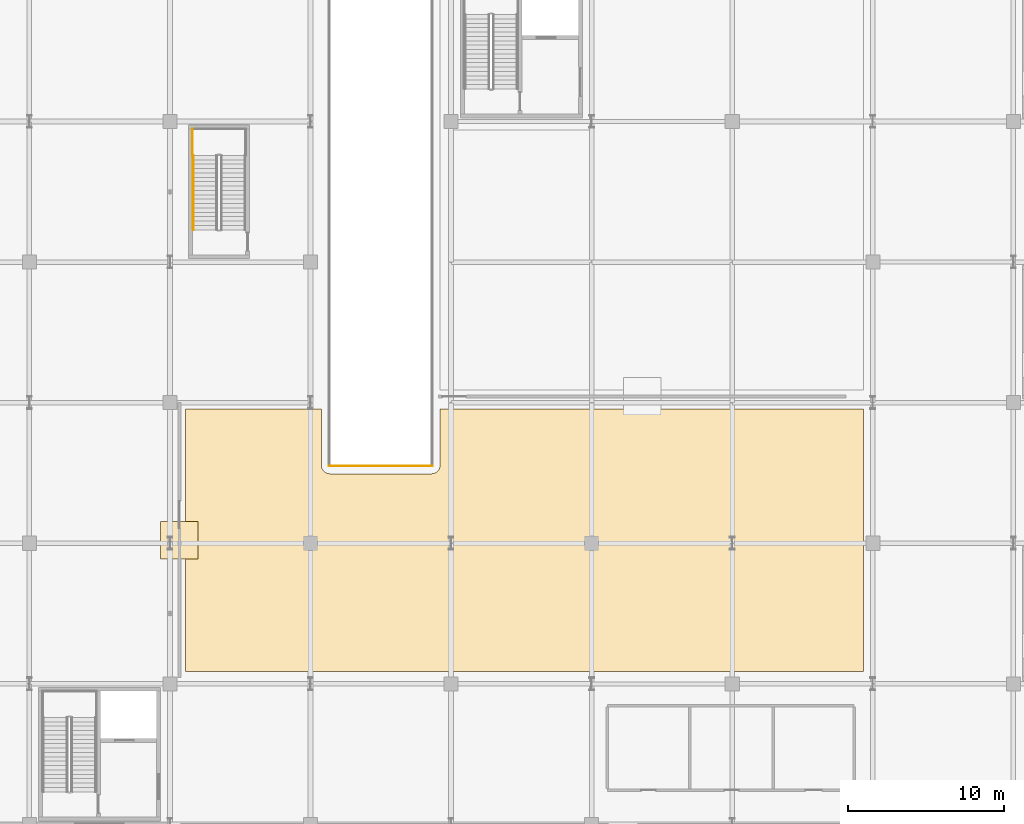
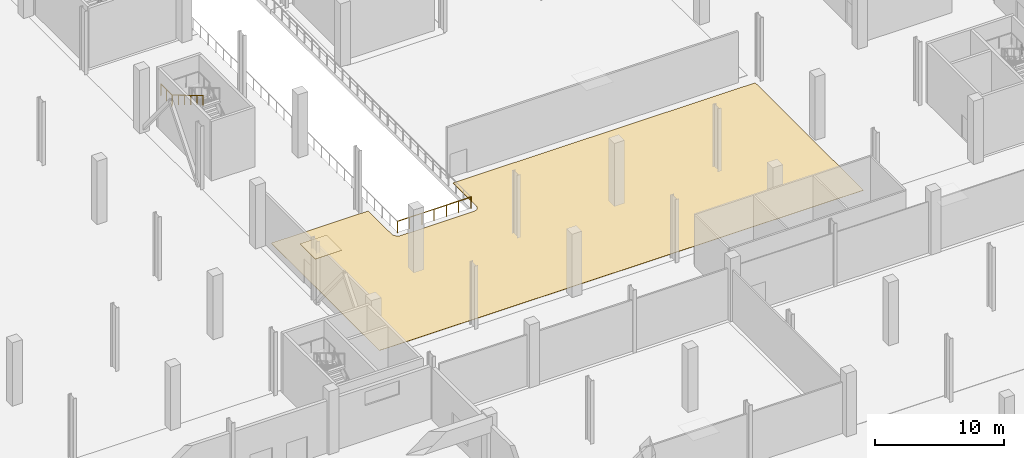
# One storey, part 51 of 58: 3 railings, 2 coverings.
"""IFC4 building model written with IfcOpenShell, lengths in metres."""

from ifc_helpers import new_model, si_unit, direction, frame, origin, origin_2d, place, context, subcontext, project, spatial, polyline, circle, outline, extrude, material, layer, layer_set, type_object, element, save


model = new_model("IFC4")

# Units and contexts
model_context = context("Model", 3, precision=1e-05, world=origin(), true_north=direction((0.0, 1.0)))
body_context = subcontext(model_context, "Body", "Model", "MODEL_VIEW")
ifc_project = project(units=[si_unit("LENGTHUNIT", "METRE"), si_unit("AREAUNIT", "SQUARE_METRE"), si_unit("VOLUMEUNIT", "CUBIC_METRE"), si_unit("PLANEANGLEUNIT", "RADIAN"), si_unit("MASSUNIT", "GRAM", prefix="KILO")], contexts=[model_context])

# Site, building, storey
site_placement = place(None, origin())
site = spatial("IfcSite", under=ifc_project, at=site_placement, CompositionType="ELEMENT")
building_placement = place(site_placement, origin())
building = spatial("IfcBuilding", under=site, at=building_placement, Name="Barlavento Convention Centre", CompositionType="ELEMENT")
storey_placement = place(building_placement, origin())
storey = spatial("IfcBuildingStorey", under=building, at=storey_placement, Name="L00", CompositionType="ELEMENT", Elevation=0.0)

# Coverings
ifc_material_1 = material(Name="Perforated mineral-fibre acoustic board")
ifc_layer_1 = layer(ifc_material_1, 0.0400390625)
ifc_layer_set_1 = layer_set([ifc_layer_1], Name="ARC-COV-CEIL-ACOU")
covering_type_1 = type_object("IfcCoveringType", Name="ARC-COV-CEIL-ACOU", PredefinedType="CEILING", material=ifc_layer_set_1)
covering_1_placement = place(storey_placement, frame((0.0, 0.0, 4.85009765625)))
element("IfcCovering", 1, at=covering_1_placement, inside=storey, type_object=covering_type_1, Name="L00 acoustic ceiling panel", PredefinedType="CEILING", context=body_context, shape_type="SweptSolid", body=[
    extrude(outline(polyline([(125.39990234375, 62.0), (127.800048828125, 62.0), (127.800048828125, 64.39990234375), (125.39990234375, 64.39990234375), (125.39990234375, 62.0)])), origin(), (0.0, 0.0, 1.0), 0.039794921875),
])
ifc_material_2 = material(Name="Honed granite concourse stone flooring", Category="masonry")
ifc_layer_2 = layer(ifc_material_2, 0.030029296875)
ifc_layer_set_2 = layer_set([ifc_layer_2], Name="ARC-COV-FLR-STONE")
covering_type_2 = type_object("IfcCoveringType", Name="ARC-COV-FLR-STONE", PredefinedType="FLOORING", material=ifc_layer_set_2)
covering_2_placement = place(storey_placement, origin())
element("IfcCovering", 2, at=covering_2_placement, inside=storey, type_object=covering_type_2, Name="L00 honed stone floor finish", PredefinedType="FLOORING", context=body_context, shape_type="SweptSolid", body=[
    extrude(outline(polyline([(127.0, 54.800048828125), (127.0, 71.60009765625), (135.699951171875, 71.60009765625), (135.699951171875, 68.0), (135.699951171875, 67.98095703125), (135.700927734375, 67.966064453125), (135.705078125, 67.926025390625), (135.70703125, 67.910888671875), (135.715087890625, 67.8720703125), (135.718994140625, 67.85791015625), (135.72900390625, 67.823974609375), (135.73388671875, 67.81005859375), (135.75, 67.77099609375), (135.756103515625, 67.758056640625), (135.77490234375, 67.722900390625), (135.782958984375, 67.7099609375), (135.802001953125, 67.680908203125), (135.81103515625, 67.6689453125), (135.837890625, 67.635986328125), (135.847900390625, 67.625), (135.875, 67.597900390625), (135.885986328125, 67.587890625), (135.9189453125, 67.56103515625), (135.930908203125, 67.552001953125), (135.9599609375, 67.532958984375), (135.972900390625, 67.52490234375), (136.008056640625, 67.506103515625), (136.02099609375, 67.5), (136.06005859375, 67.48388671875), (136.073974609375, 67.47900390625), (136.10791015625, 67.468994140625), (136.1220703125, 67.465087890625), (136.160888671875, 67.45703125), (136.176025390625, 67.455078125), (136.216064453125, 67.450927734375), (136.23095703125, 67.449951171875), (136.25, 67.449951171875), (142.75, 67.449951171875), (142.76904296875, 67.449951171875), (142.783935546875, 67.450927734375), (142.823974609375, 67.455078125), (142.839111328125, 67.45703125), (142.8779296875, 67.465087890625), (142.89208984375, 67.468994140625), (142.926025390625, 67.47900390625), (142.93994140625, 67.48388671875), (142.97900390625, 67.5), (142.991943359375, 67.506103515625), (143.027099609375, 67.52490234375), (143.0400390625, 67.532958984375), (143.069091796875, 67.552001953125), (143.0810546875, 67.56103515625), (143.114013671875, 67.587890625), (143.125, 67.597900390625), (143.152099609375, 67.625), (143.162109375, 67.635986328125), (143.18896484375, 67.6689453125), (143.197998046875, 67.680908203125), (143.217041015625, 67.7099609375), (143.22509765625, 67.722900390625), (143.243896484375, 67.758056640625), (143.25, 67.77099609375), (143.26611328125, 67.81005859375), (143.27099609375, 67.823974609375), (143.281005859375, 67.85791015625), (143.284912109375, 67.8720703125), (143.29296875, 67.910888671875), (143.294921875, 67.926025390625), (143.299072265625, 67.966064453125), (143.300048828125, 67.98095703125), (143.300048828125, 68.0), (143.300048828125, 71.60009765625), (170.39990234375, 71.60009765625), (170.39990234375, 54.800048828125), (127.0, 54.800048828125)])), origin(), (0.0, 0.0, 1.0), 0.030029296875),
])

# Railings
ifc_material_3 = material(Name="Stainless steel and laminated glass balustrade", Category="steel")
railing_type_1 = type_object("IfcRailingType", Name="ARC-RAL-BAL-1100", PredefinedType="BALUSTRADE", material=ifc_material_3)
railing_1_placement = place(storey_placement, frame((127.449951171875, 87.830078125, 3.0)))
element("IfcRailing", 3, at=railing_1_placement, inside=storey, type_object=railing_type_1, Name="L00 landing guard GR01", PredefinedType="BALUSTRADE", context=body_context, shape_type="SweptSolid", body=[
    extrude(circle(Radius=0.02392578125, at=origin_2d()), frame((0.0, 0.0, 1.076171875), z_axis=(0.0, 1.0, 0.0), x_axis=(-1.0, 0.0, 0.0)), (0.0, 0.0, 1.0), 1.699951171875),
    extrude(circle(Radius=0.02099609375, at=origin_2d()), origin(), (0.0, 0.0, 1.0), 1.052001953125),
    extrude(circle(Radius=0.02099609375, at=origin_2d()), frame((0.0, 0.85009765625, 0.0)), (0.0, 0.0, 1.0), 1.052001953125),
    extrude(circle(Radius=0.02099609375, at=origin_2d()), frame((0.0, 1.699951171875, 0.0)), (0.0, 0.0, 1.0), 1.052001953125),
])
railing_2_placement = place(storey_placement, frame((136.199951171875, 67.949951171875, 0.0)))
element("IfcRailing", 4, at=railing_2_placement, inside=storey, type_object=railing_type_1, Name="L00 interior atrium or gallery balustrade GR01", PredefinedType="BALUSTRADE", context=body_context, shape_type="SweptSolid", body=[
    extrude(circle(Radius=0.02392578125, at=origin_2d()), frame((0.0, 0.0, 1.076171875), z_axis=(1.0, 0.0, 0.0), x_axis=(0.0, 1.0, 0.0)), (0.0, 0.0, 1.0), 6.60009765625),
    extrude(circle(Radius=0.02099609375, at=origin_2d()), origin(), (0.0, 0.0, 1.0), 1.052001953125),
    extrude(circle(Radius=0.02099609375, at=origin_2d()), frame((1.10009765625, 0.0, 0.0)), (0.0, 0.0, 1.0), 1.052001953125),
    extrude(circle(Radius=0.02099609375, at=origin_2d()), frame((2.199951171875, 0.0, 0.0)), (0.0, 0.0, 1.0), 1.052001953125),
    extrude(circle(Radius=0.02099609375, at=origin_2d()), frame((3.300048828125, 0.0, 0.0)), (0.0, 0.0, 1.0), 1.052001953125),
    extrude(circle(Radius=0.02099609375, at=origin_2d()), frame((4.400146484375, 0.0, 0.0)), (0.0, 0.0, 1.0), 1.052001953125),
    extrude(circle(Radius=0.02099609375, at=origin_2d()), frame((5.5, 0.0, 0.0)), (0.0, 0.0, 1.0), 1.052001953125),
    extrude(circle(Radius=0.02099609375, at=origin_2d()), frame((6.60009765625, 0.0, 0.0)), (0.0, 0.0, 1.0), 1.052001953125),
])
ifc_material_4 = material(Name="Brushed stainless steel tubular handrail", Category="steel")
railing_type_2 = type_object("IfcRailingType", Name="ARC-RAL-HR-900", PredefinedType="HANDRAIL", material=ifc_material_4)
railing_3_placement = place(storey_placement, frame((127.5, 87.830078125, 3.166748046875)))
element("IfcRailing", 5, at=railing_3_placement, inside=storey, type_object=railing_type_2, Name="L00 ST12 stair handrail 2", PredefinedType="HANDRAIL", context=body_context, shape_type="SweptSolid", body=[
    extrude(circle(Radius=0.02392578125, at=origin_2d()), frame((0.0, 0.0, 0.8759765625), z_axis=(0.0, -0.859299802514, 0.511472237174), x_axis=(1.0, 0.0, 0.0)), (0.0, 0.0, 1.0), 5.539306640625),
    extrude(circle(Radius=0.02099609375, at=origin_2d()), origin(), (0.0, 0.0, 1.0), 0.851806640625),
    extrude(circle(Radius=0.02099609375, at=origin_2d()), frame((0.0, -0.951904296875, 0.566650390625)), (0.0, 0.0, 1.0), 0.851806640625),
    extrude(circle(Radius=0.02099609375, at=origin_2d()), frame((0.0, -1.904052734375, 1.13330078125)), (0.0, 0.0, 1.0), 0.851806640625),
    extrude(circle(Radius=0.02099609375, at=origin_2d()), frame((0.0, -2.85595703125, 1.699951171875)), (0.0, 0.0, 1.0), 0.851806640625),
    extrude(circle(Radius=0.02099609375, at=origin_2d()), frame((0.0, -3.80810546875, 2.2666015625)), (0.0, 0.0, 1.0), 0.851806640625),
    extrude(circle(Radius=0.02099609375, at=origin_2d()), frame((0.0, -4.760009765625, 2.833251953125)), (0.0, 0.0, 1.0), 0.851806640625),
])

save(model, "model.ifc")
